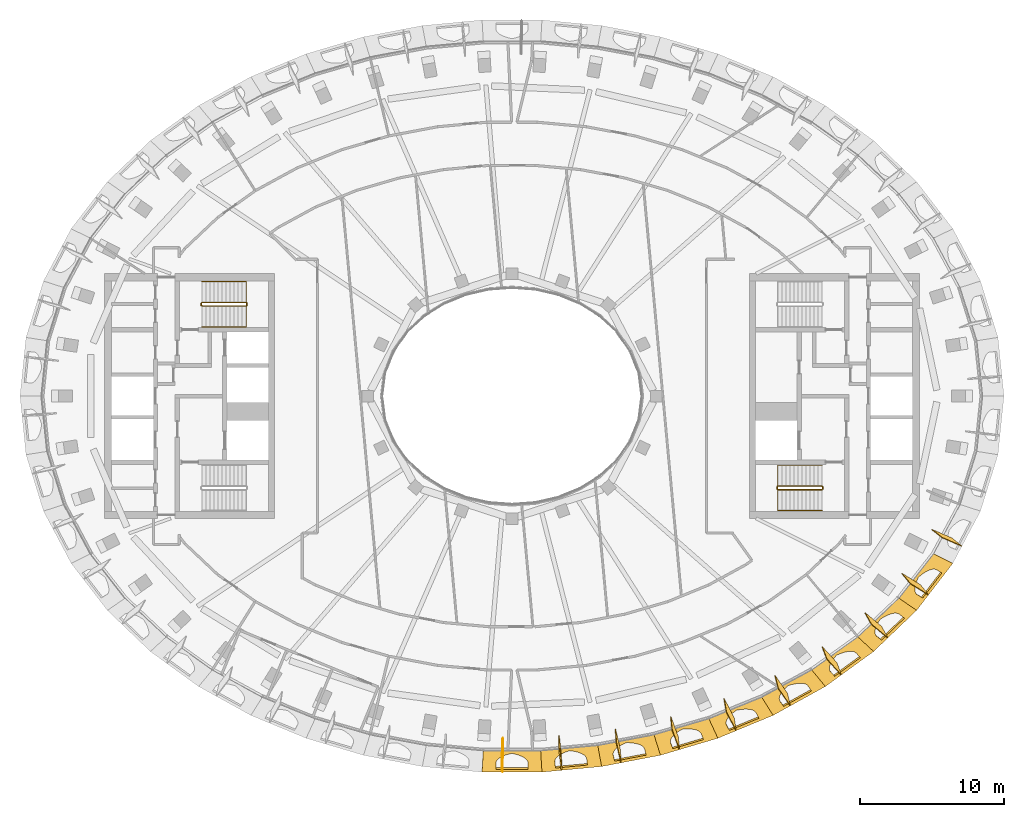
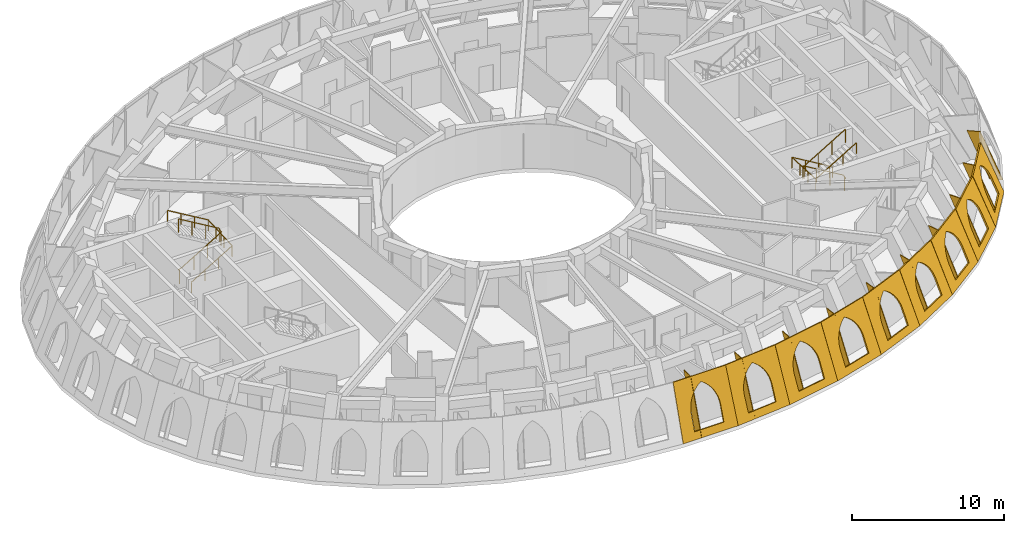
# One storey, part 12 of 14: 19 coverings, 4 railings.
"""IFC4 building model written with IfcOpenShell, lengths in metres."""

from ifc_helpers import new_model, si_unit, direction, frame, origin, origin_2d, place, context, subcontext, project, spatial, polyline, rectangle, outline, extrude, material, layer, layer_set, type_object, element, save


model = new_model("IFC4")

# Units and contexts
model_context = context("Model", 3, precision=1e-05, world=origin(), true_north=direction((0.0, 1.0)))
body_context = subcontext(model_context, "Body", "Model", "MODEL_VIEW")
ifc_project = project(units=[si_unit("LENGTHUNIT", "METRE"), si_unit("AREAUNIT", "SQUARE_METRE"), si_unit("VOLUMEUNIT", "CUBIC_METRE"), si_unit("PLANEANGLEUNIT", "RADIAN"), si_unit("MASSUNIT", "GRAM", prefix="KILO")], contexts=[model_context])

# Site, building, storey
site_placement = place(None, origin())
site = spatial("IfcSite", under=ifc_project, at=site_placement, CompositionType="ELEMENT")
building_placement = place(site_placement, origin())
building = spatial("IfcBuilding", under=site, at=building_placement, Name="Noorbagh Ring Tower", CompositionType="ELEMENT")
storey_placement = place(building_placement, frame((0.0, 0.0, 343.0)))
storey = spatial("IfcBuildingStorey", under=building, at=storey_placement, Name="L75", CompositionType="ELEMENT", Elevation=343.0)

# Railings
ifc_material_1 = material(Name="Stainless steel", Category="steel")
railing_type_1 = type_object("IfcRailingType", Name="CORE-STAIR-GUARD", PredefinedType="GUARDRAIL", material=ifc_material_1)
railing_1_placement = place(storey_placement, frame((-21.580078125, 6.300048828125, 0.0)))
element("IfcRailing", 1, at=railing_1_placement, inside=storey, type_object=railing_type_1, Name="L75 ST1 stair guard", PredefinedType="GUARDRAIL", context=body_context, shape_type="SweptSolid", body=[
    extrude(rectangle(XDim=0.048095703125, YDim=0.048095703125, at=origin_2d()), frame((0.0, 0.0, 1.076171875), z_axis=(0.0, 1.0, 0.0), x_axis=(-1.0, 0.0, 0.0)), (0.0, 0.0, 1.0), 0.14990234375),
    extrude(rectangle(XDim=0.048095703125, YDim=0.048095703125, at=origin_2d()), frame((0.0, 0.14990234375, 1.076171875), z_axis=(0.188775798145, -0.754182335027, 0.628945707965), x_axis=(0.970072785993, 0.242814311512, 0.0)), (0.0, 0.0, 1.0), 0.26513671875),
    extrude(rectangle(XDim=0.048095703125, YDim=0.048095703125, at=origin_2d()), frame((0.050048828125, -0.050048828125, 1.24267578125), z_axis=(0.859308565015, 0.0, 0.511457515432), x_axis=(0.0, 1.0, 0.0)), (0.0, 0.0, 1.0), 3.58447265625),
    extrude(rectangle(XDim=0.048095703125, YDim=0.048095703125, at=origin_2d()), frame((3.130126953125, -0.050048828125, 3.076171875), z_axis=(0.707106781187, 0.707106781187, 0.0), x_axis=(-0.707106781187, 0.707106781187, 0.0)), (0.0, 0.0, 1.0), 0.07080078125),
    extrude(rectangle(XDim=0.048095703125, YDim=0.048095703125, at=origin_2d()), frame((3.18017578125, 0.0, 3.076171875), z_axis=(0.0, 1.0, 0.0), x_axis=(-1.0, 0.0, 0.0)), (0.0, 0.0, 1.0), 0.14990234375),
    extrude(rectangle(XDim=0.048095703125, YDim=0.048095703125, at=origin_2d()), frame((3.18017578125, 0.14990234375, 3.076171875), z_axis=(-0.27628659633, 0.27628659633, 0.920506074601), x_axis=(-0.707106781187, -0.707106781187, 0.0)), (0.0, 0.0, 1.0), 0.18115234375),
    extrude(rectangle(XDim=0.048095703125, YDim=0.048095703125, at=origin_2d()), frame((3.130126953125, 0.199951171875, 3.24267578125), z_axis=(-0.859308565015, 0.0, 0.511457515432), x_axis=(0.0, -1.0, 0.0)), (0.0, 0.0, 1.0), 3.58447265625),
    extrude(rectangle(XDim=0.0419921875, YDim=0.0419921875, at=origin_2d()), origin(), (0.0, 0.0, 1.0), 1.052001953125),
    extrude(rectangle(XDim=0.0419921875, YDim=0.0419921875, at=origin_2d()), frame((1.07666015625, -0.050048828125, 0.77783203125)), (0.0, 0.0, 1.0), 1.052001953125),
    extrude(rectangle(XDim=0.0419921875, YDim=0.0419921875, at=origin_2d()), frame((2.103515625, -0.050048828125, 1.388916015625)), (0.0, 0.0, 1.0), 1.052001953125),
    extrude(rectangle(XDim=0.0419921875, YDim=0.0419921875, at=origin_2d()), frame((3.130126953125, -0.050048828125, 2.0)), (0.0, 0.0, 1.0), 1.052001953125),
    extrude(rectangle(XDim=0.0419921875, YDim=0.0419921875, at=origin_2d()), frame((3.130126953125, 0.199951171875, 2.166748046875)), (0.0, 0.0, 1.0), 1.052001953125),
    extrude(rectangle(XDim=0.0419921875, YDim=0.0419921875, at=origin_2d()), frame((2.103515625, 0.199951171875, 2.77783203125)), (0.0, 0.0, 1.0), 1.052001953125),
    extrude(rectangle(XDim=0.0419921875, YDim=0.0419921875, at=origin_2d()), frame((1.07666015625, 0.199951171875, 3.388916015625)), (0.0, 0.0, 1.0), 1.052001953125),
    extrude(rectangle(XDim=0.0419921875, YDim=0.0419921875, at=origin_2d()), frame((0.050048828125, 0.199951171875, 4.0)), (0.0, 0.0, 1.0), 1.052001953125),
])
railing_2_placement = place(storey_placement, frame((21.580078125, -6.300048828125, 0.0)))
element("IfcRailing", 2, at=railing_2_placement, inside=storey, type_object=railing_type_1, Name="L75 ST4 stair guard", PredefinedType="GUARDRAIL", context=body_context, shape_type="SweptSolid", body=[
    extrude(rectangle(XDim=0.048095703125, YDim=0.048095703125, at=origin_2d()), frame((0.0, 0.0, 1.076171875), z_axis=(0.0, -1.0, 0.0), x_axis=(1.0, 0.0, 0.0)), (0.0, 0.0, 1.0), 0.14990234375),
    extrude(rectangle(XDim=0.048095703125, YDim=0.048095703125, at=origin_2d()), frame((0.0, -0.14990234375, 1.076171875), z_axis=(-0.188775798145, 0.754182335027, 0.628945707965), x_axis=(-0.970072785993, -0.242814311512, 0.0)), (0.0, 0.0, 1.0), 0.26513671875),
    extrude(rectangle(XDim=0.048095703125, YDim=0.048095703125, at=origin_2d()), frame((-0.050048828125, 0.050048828125, 1.24267578125), z_axis=(-0.859308565015, 0.0, 0.511457515432), x_axis=(0.0, -1.0, 0.0)), (0.0, 0.0, 1.0), 3.58447265625),
    extrude(rectangle(XDim=0.048095703125, YDim=0.048095703125, at=origin_2d()), frame((-3.130126953125, 0.050048828125, 3.076171875), z_axis=(-0.707106781187, -0.707106781187, 0.0), x_axis=(0.707106781187, -0.707106781187, 0.0)), (0.0, 0.0, 1.0), 0.07080078125),
    extrude(rectangle(XDim=0.048095703125, YDim=0.048095703125, at=origin_2d()), frame((-3.18017578125, 0.0, 3.076171875), z_axis=(0.0, -1.0, 0.0), x_axis=(1.0, 0.0, 0.0)), (0.0, 0.0, 1.0), 0.14990234375),
    extrude(rectangle(XDim=0.048095703125, YDim=0.048095703125, at=origin_2d()), frame((-3.18017578125, -0.14990234375, 3.076171875), z_axis=(0.27628659633, -0.27628659633, 0.920506074601), x_axis=(0.707106781187, 0.707106781187, 0.0)), (0.0, 0.0, 1.0), 0.18115234375),
    extrude(rectangle(XDim=0.048095703125, YDim=0.048095703125, at=origin_2d()), frame((-3.130126953125, -0.199951171875, 3.24267578125), z_axis=(0.859308565015, 0.0, 0.511457515432), x_axis=(0.0, 1.0, 0.0)), (0.0, 0.0, 1.0), 3.58447265625),
    extrude(rectangle(XDim=0.0419921875, YDim=0.0419921875, at=origin_2d()), origin(), (0.0, 0.0, 1.0), 1.052001953125),
    extrude(rectangle(XDim=0.0419921875, YDim=0.0419921875, at=origin_2d()), frame((-1.07666015625, 0.050048828125, 0.77783203125)), (0.0, 0.0, 1.0), 1.052001953125),
    extrude(rectangle(XDim=0.0419921875, YDim=0.0419921875, at=origin_2d()), frame((-2.103515625, 0.050048828125, 1.388916015625)), (0.0, 0.0, 1.0), 1.052001953125),
    extrude(rectangle(XDim=0.0419921875, YDim=0.0419921875, at=origin_2d()), frame((-3.130126953125, 0.050048828125, 2.0)), (0.0, 0.0, 1.0), 1.052001953125),
    extrude(rectangle(XDim=0.0419921875, YDim=0.0419921875, at=origin_2d()), frame((-3.130126953125, -0.199951171875, 2.166748046875)), (0.0, 0.0, 1.0), 1.052001953125),
    extrude(rectangle(XDim=0.0419921875, YDim=0.0419921875, at=origin_2d()), frame((-2.103515625, -0.199951171875, 2.77783203125)), (0.0, 0.0, 1.0), 1.052001953125),
    extrude(rectangle(XDim=0.0419921875, YDim=0.0419921875, at=origin_2d()), frame((-1.07666015625, -0.199951171875, 3.388916015625)), (0.0, 0.0, 1.0), 1.052001953125),
    extrude(rectangle(XDim=0.0419921875, YDim=0.0419921875, at=origin_2d()), frame((-0.050048828125, -0.199951171875, 4.0)), (0.0, 0.0, 1.0), 1.052001953125),
])
ifc_material_2 = material(Name="Stainless steel", Category="steel")
railing_type_2 = type_object("IfcRailingType", Name="CORE-STAIR-HANDRAIL", PredefinedType="HANDRAIL", material=ifc_material_2)
railing_3_placement = place(storey_placement, frame((-21.530029296875, 4.800048828125, 0.166748046875)))
element("IfcRailing", 3, at=railing_3_placement, inside=storey, type_object=railing_type_2, Name="L75 ST1 stair handrail", PredefinedType="HANDRAIL", context=body_context, shape_type="SweptSolid", body=[
    extrude(rectangle(XDim=0.048095703125, YDim=0.048095703125, at=origin_2d()), frame((0.0, 0.0, 0.8759765625), z_axis=(0.859308565015, 0.0, 0.511457515432), x_axis=(0.0, 1.0, 0.0)), (0.0, 0.0, 1.0), 3.58447265625),
    extrude(rectangle(XDim=0.048095703125, YDim=0.048095703125, at=origin_2d()), frame((3.080078125, 0.0, 2.708984375), z_axis=(0.0, 0.998601747152, 0.052863509014), x_axis=(-1.0, 0.0, 0.0)), (0.0, 0.0, 1.0), 3.154296875),
    extrude(rectangle(XDim=0.048095703125, YDim=0.048095703125, at=origin_2d()), frame((3.080078125, 3.14990234375, 2.8759765625), z_axis=(-0.859308565015, 0.0, 0.511457515432), x_axis=(0.0, -1.0, 0.0)), (0.0, 0.0, 1.0), 3.58447265625),
    extrude(rectangle(XDim=0.0419921875, YDim=0.0419921875, at=origin_2d()), origin(), (0.0, 0.0, 1.0), 0.851806640625),
    extrude(rectangle(XDim=0.0419921875, YDim=0.0419921875, at=origin_2d()), frame((1.026611328125, 0.0, 0.611083984375)), (0.0, 0.0, 1.0), 0.851806640625),
    extrude(rectangle(XDim=0.0419921875, YDim=0.0419921875, at=origin_2d()), frame((2.053466796875, 0.0, 1.22216796875)), (0.0, 0.0, 1.0), 0.851806640625),
    extrude(rectangle(XDim=0.0419921875, YDim=0.0419921875, at=origin_2d()), frame((3.080078125, 0.0, 1.833251953125)), (0.0, 0.0, 1.0), 0.851806640625),
    extrude(rectangle(XDim=0.0419921875, YDim=0.0419921875, at=origin_2d()), frame((3.080078125, 1.050048828125, 1.888916015625)), (0.0, 0.0, 1.0), 0.851806640625),
    extrude(rectangle(XDim=0.0419921875, YDim=0.0419921875, at=origin_2d()), frame((3.080078125, 2.099853515625, 1.9443359375)), (0.0, 0.0, 1.0), 0.851806640625),
    extrude(rectangle(XDim=0.0419921875, YDim=0.0419921875, at=origin_2d()), frame((3.080078125, 3.14990234375, 2.0)), (0.0, 0.0, 1.0), 0.851806640625),
    extrude(rectangle(XDim=0.0419921875, YDim=0.0419921875, at=origin_2d()), frame((2.053466796875, 3.14990234375, 2.611083984375)), (0.0, 0.0, 1.0), 0.851806640625),
    extrude(rectangle(XDim=0.0419921875, YDim=0.0419921875, at=origin_2d()), frame((1.026611328125, 3.14990234375, 3.22216796875)), (0.0, 0.0, 1.0), 0.851806640625),
    extrude(rectangle(XDim=0.0419921875, YDim=0.0419921875, at=origin_2d()), frame((0.0, 3.14990234375, 3.833251953125)), (0.0, 0.0, 1.0), 0.851806640625),
])
railing_4_placement = place(storey_placement, frame((21.530029296875, -4.800048828125, 0.166748046875)))
element("IfcRailing", 4, at=railing_4_placement, inside=storey, type_object=railing_type_2, Name="L75 ST4 stair handrail", PredefinedType="HANDRAIL", context=body_context, shape_type="SweptSolid", body=[
    extrude(rectangle(XDim=0.048095703125, YDim=0.048095703125, at=origin_2d()), frame((0.0, 0.0, 0.8759765625), z_axis=(-0.859308565015, 0.0, 0.511457515432), x_axis=(0.0, -1.0, 0.0)), (0.0, 0.0, 1.0), 3.58447265625),
    extrude(rectangle(XDim=0.048095703125, YDim=0.048095703125, at=origin_2d()), frame((-3.080078125, 0.0, 2.708984375), z_axis=(0.0, -0.998601747152, 0.052863509014), x_axis=(1.0, 0.0, 0.0)), (0.0, 0.0, 1.0), 3.154296875),
    extrude(rectangle(XDim=0.048095703125, YDim=0.048095703125, at=origin_2d()), frame((-3.080078125, -3.14990234375, 2.8759765625), z_axis=(0.859308565015, 0.0, 0.511457515432), x_axis=(0.0, 1.0, 0.0)), (0.0, 0.0, 1.0), 3.58447265625),
    extrude(rectangle(XDim=0.0419921875, YDim=0.0419921875, at=origin_2d()), origin(), (0.0, 0.0, 1.0), 0.851806640625),
    extrude(rectangle(XDim=0.0419921875, YDim=0.0419921875, at=origin_2d()), frame((-1.026611328125, 0.0, 0.611083984375)), (0.0, 0.0, 1.0), 0.851806640625),
    extrude(rectangle(XDim=0.0419921875, YDim=0.0419921875, at=origin_2d()), frame((-2.053466796875, 0.0, 1.22216796875)), (0.0, 0.0, 1.0), 0.851806640625),
    extrude(rectangle(XDim=0.0419921875, YDim=0.0419921875, at=origin_2d()), frame((-3.080078125, 0.0, 1.833251953125)), (0.0, 0.0, 1.0), 0.851806640625),
    extrude(rectangle(XDim=0.0419921875, YDim=0.0419921875, at=origin_2d()), frame((-3.080078125, -1.050048828125, 1.888916015625)), (0.0, 0.0, 1.0), 0.851806640625),
    extrude(rectangle(XDim=0.0419921875, YDim=0.0419921875, at=origin_2d()), frame((-3.080078125, -2.099853515625, 1.9443359375)), (0.0, 0.0, 1.0), 0.851806640625),
    extrude(rectangle(XDim=0.0419921875, YDim=0.0419921875, at=origin_2d()), frame((-3.080078125, -3.14990234375, 2.0)), (0.0, 0.0, 1.0), 0.851806640625),
    extrude(rectangle(XDim=0.0419921875, YDim=0.0419921875, at=origin_2d()), frame((-2.053466796875, -3.14990234375, 2.611083984375)), (0.0, 0.0, 1.0), 0.851806640625),
    extrude(rectangle(XDim=0.0419921875, YDim=0.0419921875, at=origin_2d()), frame((-1.026611328125, -3.14990234375, 3.22216796875)), (0.0, 0.0, 1.0), 0.851806640625),
    extrude(rectangle(XDim=0.0419921875, YDim=0.0419921875, at=origin_2d()), frame((0.0, -3.14990234375, 3.833251953125)), (0.0, 0.0, 1.0), 0.851806640625),
])

# Coverings
ifc_material_3 = material(Name="Aluminium 6063-T6 black anodised", Category="aluminium")
ifc_layer_1 = layer(ifc_material_3, 0.050048828125)
ifc_layer_set_1 = layer_set([ifc_layer_1], Name="Aluminium 6063-T6 black anodised")
covering_type_1 = type_object("IfcCoveringType", Name="STYLE-HEAD-FIN", PredefinedType="CLADDING", material=ifc_layer_set_1)
covering_1_placement = place(storey_placement, frame((-0.693603515625, -26.10888671875, 0.0), z_axis=(-0.999853849539, -0.01207094311, 0.012106687995), x_axis=(0.007118299096, 0.349910814242, 0.936755972436)))
element("IfcCovering", 5, at=covering_1_placement, inside=storey, type_object=covering_type_1, Name="Fin rib F35 L75", ObjectType="FIN", PredefinedType="CLADDING", context=body_context, shape_type="SweptSolid", body=[
    extrude(outline(polyline([(0.0, 0.0), (4.270057085678505, -2.220446049250313e-16), (4.584864443549209, 0.8431140137763533), (0.3148090957366956, 0.8431102189059664), (0.0, 0.0)])), origin(), (0.0, 0.0, -1.0), 0.050048828125),
])
covering_2_placement = place(storey_placement, frame((3.4619140625, -25.979248046875, 0.0), z_axis=(0.999117759308, 0.033349113811, 0.0255252746), x_axis=(-0.035562137106, 0.348531813176, 0.936622074056)))
element("IfcCovering", 6, at=covering_2_placement, inside=storey, type_object=covering_type_1, Name="Fin rib F36 L75", ObjectType="FIN", PredefinedType="CLADDING", context=body_context, shape_type="SweptSolid", body=[
    extrude(outline(polyline([(0.0, 0.0), (4.270144628804676, 2.220446049250313e-16), (4.584772039550924, -0.843383799659456), (0.31462741074624834, -0.8433837996594563), (0.0, 0.0)])), origin(), (0.0, 0.0, -1.0), 0.050048828125),
])
covering_3_placement = place(storey_placement, frame((7.585693359375, -25.458984375, 0.0), z_axis=(0.99630362331, 0.060661052357, 0.060822092258), x_axis=(-0.077988385473, 0.341913889389, 0.936489564264)))
element("IfcCovering", 7, at=covering_3_placement, inside=storey, type_object=covering_type_1, Name="Fin rib F37 L75", ObjectType="FIN", PredefinedType="CLADDING", context=body_context, shape_type="SweptSolid", body=[
    extrude(outline(polyline([(0.0, 0.0), (4.2699667454592705, -2.220446049250313e-16), (4.581336520216729, -0.8442694456446282), (0.311369774757459, -0.8442694456446279), (0.0, 0.0)])), origin(), (0.0, 0.0, -1.0), 0.050048828125),
])
covering_4_placement = place(storey_placement, frame((11.6376953125, -24.544189453125, 0.0), z_axis=(0.990730815082, 0.100626374538, 0.091251218045), x_axis=(-0.119757621649, 0.329962810147, 0.936366731562)))
element("IfcCovering", 8, at=covering_4_placement, inside=storey, type_object=covering_type_1, Name="Fin rib F38 L75", ObjectType="FIN", PredefinedType="CLADDING", context=body_context, shape_type="SweptSolid", body=[
    extrude(outline(polyline([(0.0, 0.0), (4.270016005251605, -2.220446049250313e-16), (4.5762961468687084, -0.8461310976360186), (0.3063899366443968, -0.8463759045415654), (0.0, 0.0)])), origin(), (0.0, 0.0, -1.0), 0.050048828125),
])
covering_5_placement = place(storey_placement, frame((15.572998046875, -23.2275390625, 0.0), z_axis=(0.980559835014, 0.159115301615, 0.11482478282), x_axis=(-0.160353618006, 0.312533203328, 0.936274379661)))
element("IfcCovering", 9, at=covering_5_placement, inside=storey, type_object=covering_type_1, Name="Fin rib F39 L75", ObjectType="FIN", PredefinedType="CLADDING", context=body_context, shape_type="SweptSolid", body=[
    extrude(outline(polyline([(0.0, 0.0), (4.269919764367549, 0.0), (4.570680741305075, -0.8482894768162359), (0.30080012577004817, -0.8483170864410203), (0.0, 0.0)])), origin(), (0.0, 0.0, -1.0), 0.050048828125),
])
covering_6_placement = place(storey_placement, frame((19.33984375, -21.50048828125, 0.0), z_axis=(0.961819662831, 0.240690227382, 0.130273368863), x_axis=(-0.199271648924, 0.289604478598, 0.936173090786)))
element("IfcCovering", 10, at=covering_6_placement, inside=storey, type_object=covering_type_1, Name="Fin rib F40 L75", ObjectType="FIN", PredefinedType="CLADDING", context=body_context, shape_type="SweptSolid", body=[
    extrude(outline(polyline([(0.0, 0.0), (4.269841405281221, 2.220446049250313e-16), (4.5662217132046905, -0.84977312780554), (0.2964510121418775, -0.8499992971110958), (0.0, 0.0)])), origin(), (0.0, 0.0, -1.0), 0.050048828125),
])
covering_7_placement = place(storey_placement, frame((22.87548828125, -19.353759765625, 0.0), z_axis=(0.927477884472, 0.347988949845, 0.136705759209), x_axis=(-0.235851490487, 0.260851121234, 0.936125401314)))
element("IfcCovering", 11, at=covering_7_placement, inside=storey, type_object=covering_type_1, Name="Fin rib F41 L75", ObjectType="FIN", PredefinedType="CLADDING", context=body_context, shape_type="SweptSolid", body=[
    extrude(outline(polyline([(0.0, 0.0), (4.269808418859267, 0.0), (4.564214119708998, -0.8506179094415538), (0.29434201649396036, -0.8503980662130676), (0.0, 0.0)])), origin(), (0.0, 0.0, -1.0), 0.050048828125),
])
covering_8_placement = place(storey_placement, frame((26.103271484375, -16.78271484375, 0.0), z_axis=(0.866944784735, 0.48026159601, 0.133249914141), x_axis=(-0.269247166368, 0.226307131978, 0.93610418513)))
element("IfcCovering", 12, at=covering_8_placement, inside=storey, type_object=covering_type_1, Name="Fin rib F42 L75", ObjectType="FIN", PredefinedType="CLADDING", context=body_context, shape_type="SweptSolid", body=[
    extrude(outline(polyline([(0.0, 0.0), (4.26989898773221, 2.220446049250313e-16), (4.565428683198752, -0.8499000087047333), (0.29552969546654173, -0.8499000087047333), (0.0, 0.0)])), origin(), (0.0, 0.0, -1.0), 0.050048828125),
])
covering_9_placement = place(storey_placement, frame((28.9296875, -13.792236328125, 0.0), z_axis=(0.767424504897, 0.629913023763, 0.119453806041), x_axis=(-0.298400659653, 0.186017292093, 0.93613813797)))
element("IfcCovering", 13, at=covering_9_placement, inside=storey, type_object=covering_type_1, Name="Fin rib F43 L75", ObjectType="FIN", PredefinedType="CLADDING", context=body_context, shape_type="SweptSolid", body=[
    extrude(outline(polyline([(0.0, 0.0), (4.269756076353646, 0.0), (4.5694689687949595, -0.8484012880245477), (0.29978574416486214, -0.8485398293164468), (0.0, 0.0)])), origin(), (0.0, 0.0, -1.0), 0.050048828125),
])
covering_10_placement = place(storey_placement, frame((31.2451171875, -10.406494140625, 0.0), z_axis=(0.615969181044, 0.782045922098, 0.09479527274), x_axis=(-0.322095673931, 0.140205679474, 0.93626745339)))
element("IfcCovering", 14, at=covering_10_placement, inside=storey, type_object=covering_type_1, Name="Fin rib F44 L75", ObjectType="FIN", PredefinedType="CLADDING", context=body_context, shape_type="SweptSolid", body=[
    extrude(outline(polyline([(0.0, 0.0), (4.2696759128755355, -2.220446049250313e-16), (4.575486026787998, -0.8464596888751525), (0.305810113912463, -0.8464596888751525), (0.0, 0.0)])), origin(), (0.0, 0.0, -1.0), 0.050048828125),
])
ifc_material_4 = material(Name="Red sandstone jali", Category="masonry")
ifc_layer_2 = layer(ifc_material_4, 0.1201171875)
ifc_layer_set_2 = layer_set([ifc_layer_2], Name="Red sandstone jali")
covering_type_2 = type_object("IfcCoveringType", Name="STYLE-HEAD-SKIN", PredefinedType="CLADDING", material=ifc_layer_set_2)
covering_11_placement = place(storey_placement, frame((-2.080810546875, -26.10888671875, 0.0), z_axis=(0.0, -0.936779550661, 0.349920095828), x_axis=(1.0, 0.0, 0.0)))
element("IfcCovering", 15, at=covering_11_placement, inside=storey, type_object=covering_type_2, Name="Head skin panel", ObjectType="HEAD SKIN", PredefinedType="CLADDING", context=body_context, shape_type="SweptSolid", body=[
    extrude(outline(polyline([(0.0, 0.0), (4.16162109375, 0.0), (4.070556640625, 4.27001953125), (0.091064453125, 4.27001953125), (0.0, 0.0)]), holes=[polyline([(0.966796875, 0.550048828125), (0.966796875, 1.7900390625), (0.985595703125, 2.0810546875), (1.04248046875, 2.366943359375), (1.13623046875, 2.642822265625), (1.26513671875, 2.904296875), (1.42724609375, 3.146728515625), (1.619384765625, 3.365966796875), (1.838623046875, 3.55810546875), (2.080810546875, 3.719970703125), (2.3232421875, 3.55810546875), (2.54248046875, 3.365966796875), (2.734619140625, 3.146728515625), (2.896484375, 2.904296875), (3.025634765625, 2.642822265625), (3.119384765625, 2.366943359375), (3.176025390625, 2.0810546875), (3.1953125, 1.7900390625), (3.1953125, 0.550048828125), (0.966796875, 0.550048828125)])]), origin(), (0.0, 0.0, -1.0), 0.1201171875),
])
covering_12_placement = place(storey_placement, frame((2.080810546875, -26.10888671875, 0.0), z_axis=(0.087591626762, -0.932522145726, 0.350328638069), x_axis=(0.995617628772, 0.093517577368, -1.586588e-06)))
element("IfcCovering", 16, at=covering_12_placement, inside=storey, type_object=covering_type_2, Name="Head skin panel", ObjectType="HEAD SKIN", PredefinedType="CLADDING", context=body_context, shape_type="SweptSolid", body=[
    extrude(outline(polyline([(0.0, 0.0), (4.16162109375, 0.0), (4.02734375, 4.270751953125), (0.049072265625, 4.270751953125), (0.0, 0.0)]), holes=[polyline([(0.961181640625, 0.550048828125), (0.948974609375, 1.791259765625), (0.965087890625, 2.08203125), (1.01904296875, 2.367919921875), (1.110107421875, 2.643798828125), (1.236328125, 2.9052734375), (1.395751953125, 3.147705078125), (1.585693359375, 3.36669921875), (1.802978515625, 3.558837890625), (2.043701171875, 3.720703125), (2.28759765625, 3.558837890625), (2.508544921875, 3.36669921875), (2.702880859375, 3.147705078125), (2.8671875, 2.9052734375), (2.998779296875, 2.643798828125), (3.09521484375, 2.367919921875), (3.15478515625, 2.08203125), (3.1767578125, 1.791259765625), (3.189208984375, 0.550048828125), (0.961181640625, 0.550048828125)])]), origin(), (0.0, 0.0, -1.0), 0.1201171875),
])
covering_13_placement = place(storey_placement, frame((6.22412109375, -25.7197265625, 0.0), z_axis=(0.176079356479, -0.919862845053, 0.350497370194), x_axis=(0.982167696153, 0.188006958976, 3.310382e-06)))
element("IfcCovering", 17, at=covering_13_placement, inside=storey, type_object=covering_type_2, Name="Head skin panel", ObjectType="HEAD SKIN", PredefinedType="CLADDING", context=body_context, shape_type="SweptSolid", body=[
    extrude(outline(polyline([(0.0, 0.0), (4.1591796875, 0.0), (3.98388671875, 4.27099609375), (0.008544921875, 4.27099609375), (0.0, 0.0)]), holes=[polyline([(0.955810546875, 0.550048828125), (0.931640625, 1.793212890625), (0.945068359375, 2.083740234375), (0.996337890625, 2.369384765625), (1.08447265625, 2.64501953125), (1.208251953125, 2.90625), (1.365234375, 3.148193359375), (1.552978515625, 3.3671875), (1.768310546875, 3.55908203125), (2.007080078125, 3.720947265625), (2.25244140625, 3.55908203125), (2.47509765625, 3.3671875), (2.67138671875, 3.148193359375), (2.837890625, 2.90625), (2.9716796875, 2.64501953125), (3.07080078125, 2.369384765625), (3.133056640625, 2.083740234375), (3.15771484375, 1.793212890625), (3.181884765625, 0.550048828125), (0.955810546875, 0.550048828125)])]), origin(), (0.0, 0.0, -1.0), 0.1201171875),
])
covering_14_placement = place(storey_placement, frame((10.30908203125, -24.937744140625, 0.0), z_axis=(0.26605252642, -0.897994106361, 0.350460608524), x_axis=(0.958804037381, 0.28406833315, -1.562271e-06)))
element("IfcCovering", 18, at=covering_14_placement, inside=storey, type_object=covering_type_2, Name="Head skin panel", ObjectType="HEAD SKIN", PredefinedType="CLADDING", context=body_context, shape_type="SweptSolid", body=[
    extrude(outline(polyline([(0.0, 0.0), (4.15625, 0.0), (3.942138671875, 4.27099609375), (-0.027587890625, 4.270751953125), (0.0, 0.0)]), holes=[polyline([(0.951171875, 0.550048828125), (0.915771484375, 1.795654296875), (0.926513671875, 2.0859375), (0.97509765625, 2.37109375), (1.060791015625, 2.646484375), (1.18212890625, 2.9072265625), (1.3369140625, 3.14892578125), (1.522216796875, 3.36767578125), (1.735595703125, 3.559326171875), (1.97265625, 3.720947265625), (2.218994140625, 3.559326171875), (2.443115234375, 3.36767578125), (2.64111328125, 3.14892578125), (2.809326171875, 2.9072265625), (2.9453125, 2.646484375), (3.046630859375, 2.37109375), (3.111572265625, 2.0859375), (3.138916015625, 1.795654296875), (3.174072265625, 0.550048828125), (0.951171875, 0.550048828125)])]), origin(), (0.0, 0.0, -1.0), 0.1201171875),
])
covering_15_placement = place(storey_placement, frame((14.294189453125, -23.757080078125, 0.0), z_axis=(0.358322783681, -0.865397152408, 0.350274965277), x_axis=(0.92393118422, 0.382558710298, -1.071554e-06)))
element("IfcCovering", 19, at=covering_15_placement, inside=storey, type_object=covering_type_2, Name="Head skin panel", ObjectType="HEAD SKIN", PredefinedType="CLADDING", context=body_context, shape_type="SweptSolid", body=[
    extrude(outline(polyline([(0.0, 0.0), (4.152099609375, 0.0), (3.903076171875, 4.2705078125), (-0.05859375, 4.2705078125), (0.0, 0.0)]), holes=[polyline([(0.94677734375, 0.550048828125), (0.90185546875, 1.79931640625), (0.910400390625, 2.0888671875), (0.956787109375, 2.37353515625), (1.040283203125, 2.648193359375), (1.1591796875, 2.908447265625), (1.311767578125, 3.14990234375), (1.4951171875, 3.367919921875), (1.70654296875, 3.559326171875), (1.94189453125, 3.720703125), (2.189208984375, 3.559326171875), (2.4140625, 3.367919921875), (2.61328125, 3.14990234375), (2.783203125, 2.908447265625), (2.9208984375, 2.648193359375), (3.024169921875, 2.37353515625), (3.091064453125, 2.0888671875), (3.120361328125, 1.79931640625), (3.165283203125, 0.550048828125), (0.94677734375, 0.550048828125)])]), origin(), (0.0, 0.0, -1.0), 0.1201171875),
])
covering_16_placement = place(storey_placement, frame((18.13037109375, -22.168701171875, 0.0), z_axis=(0.453056491312, -0.819879724023, 0.35005293002), x_axis=(0.87525603196, 0.483659878909, 7.145209e-06)))
element("IfcCovering", 20, at=covering_16_placement, inside=storey, type_object=covering_type_2, Name="Head skin panel", ObjectType="HEAD SKIN", PredefinedType="CLADDING", context=body_context, shape_type="SweptSolid", body=[
    extrude(outline(polyline([(0.0, 0.0), (4.1455078125, 0.0), (3.869140625, 4.270263671875), (-0.081787109375, 4.270263671875), (0.0, 0.0)]), holes=[polyline([(0.943603515625, 0.550048828125), (0.890869140625, 1.803955078125), (0.897705078125, 2.0927734375), (0.942138671875, 2.376708984375), (1.023681640625, 2.650634765625), (1.140869140625, 2.910400390625), (1.29150390625, 3.15087890625), (1.473388671875, 3.36865234375), (1.682861328125, 3.559326171875), (1.916748046875, 3.72021484375), (2.164306640625, 3.559326171875), (2.389892578125, 3.36865234375), (2.58984375, 3.15087890625), (2.7607421875, 2.910400390625), (2.899658203125, 2.650634765625), (3.004150390625, 2.376708984375), (3.072509765625, 2.0927734375), (3.103515625, 1.803955078125), (3.156005859375, 0.550048828125), (0.943603515625, 0.550048828125)])]), origin(), (0.0, 0.0, -1.0), 0.1201171875),
])
covering_17_placement = place(storey_placement, frame((21.7587890625, -20.16357421875, 0.0), z_axis=(0.549999533176, -0.758359294534, 0.349845242787), x_axis=(0.80951503471, 0.587099147141, -2.275698e-06)))
element("IfcCovering", 21, at=covering_17_placement, inside=storey, type_object=covering_type_2, Name="Head skin panel", ObjectType="HEAD SKIN", PredefinedType="CLADDING", context=body_context, shape_type="SweptSolid", body=[
    extrude(outline(polyline([(0.0, 0.0), (4.13818359375, 0.0), (3.84326171875, 4.269775390625), (-0.094482421875, 4.269775390625), (0.0, 0.0)]), holes=[polyline([(0.94140625, 0.550048828125), (0.884033203125, 1.810302734375), (0.8896484375, 2.09814453125), (0.93310546875, 2.381103515625), (1.01318359375, 2.654052734375), (1.129150390625, 2.912841796875), (1.2783203125, 3.152587890625), (1.458740234375, 3.369384765625), (1.6669921875, 3.559814453125), (1.8994140625, 3.719970703125), (2.146484375, 3.559814453125), (2.3720703125, 3.369384765625), (2.572265625, 3.152587890625), (2.743408203125, 2.912841796875), (2.8828125, 2.654052734375), (2.98779296875, 2.381103515625), (3.05712890625, 2.09814453125), (3.089111328125, 1.810302734375), (3.146484375, 0.550048828125), (0.94140625, 0.550048828125)])]), origin(), (0.0, 0.0, -1.0), 0.1201171875),
])
covering_18_placement = place(storey_placement, frame((25.108642578125, -17.734130859375, 0.0), z_axis=(0.647554602531, -0.676929502023, 0.349913540796), x_axis=(0.722614011899, 0.69125175567, -9.49526e-06)))
element("IfcCovering", 22, at=covering_18_placement, inside=storey, type_object=covering_type_2, Name="Head skin panel", ObjectType="HEAD SKIN", PredefinedType="CLADDING", context=body_context, shape_type="SweptSolid", body=[
    extrude(outline(polyline([(0.0, 0.0), (4.12890625, 0.0), (3.828125, 4.27001953125), (-0.093505859375, 4.269775390625), (0.0, 0.0)]), holes=[polyline([(0.94091796875, 0.550048828125), (0.88232421875, 1.818115234375), (0.887939453125, 2.104736328125), (0.930908203125, 2.386474609375), (1.0107421875, 2.658447265625), (1.1259765625, 2.916015625), (1.2744140625, 3.155029296875), (1.453857421875, 3.37109375), (1.6611328125, 3.560302734375), (1.892578125, 3.719970703125), (2.138916015625, 3.560302734375), (2.363525390625, 3.37109375), (2.56298828125, 3.155029296875), (2.7333984375, 2.916015625), (2.87255859375, 2.658447265625), (2.977294921875, 2.386474609375), (3.04638671875, 2.104736328125), (3.07861328125, 1.818115234375), (3.13720703125, 0.550048828125), (0.94091796875, 0.550048828125)])]), origin(), (0.0, 0.0, -1.0), 0.1201171875),
])
covering_19_placement = place(storey_placement, frame((28.09228515625, -14.880126953125, 0.0), z_axis=(0.742269904086, -0.571369371211, 0.350103457751), x_axis=(0.609973325409, 0.792421947124, 2.250522e-06)))
element("IfcCovering", 23, at=covering_19_placement, inside=storey, type_object=covering_type_2, Name="Head skin panel", ObjectType="HEAD SKIN", PredefinedType="CLADDING", context=body_context, shape_type="SweptSolid", body=[
    extrude(outline(polyline([(0.0, 0.0), (4.11865234375, 0.0), (3.827392578125, 4.270263671875), (-0.076171875, 4.270263671875), (0.0, 0.0)]), holes=[polyline([(0.942626953125, 0.550048828125), (0.8876953125, 1.827392578125), (0.89404296875, 2.112548828125), (0.937744140625, 2.39306640625), (1.01806640625, 2.663818359375), (1.133544921875, 2.920166015625), (1.281982421875, 3.157958984375), (1.46142578125, 3.372802734375), (1.668212890625, 3.5615234375), (1.899169921875, 3.72021484375), (2.143798828125, 3.5615234375), (2.36669921875, 3.372802734375), (2.564697265625, 3.157958984375), (2.733642578125, 2.920166015625), (2.87109375, 2.663818359375), (2.974609375, 2.39306640625), (3.04248046875, 2.112548828125), (3.073486328125, 1.827392578125), (3.12841796875, 0.550048828125), (0.942626953125, 0.550048828125)])]), origin(), (0.0, 0.0, -1.0), 0.1201171875),
])

save(model, "model.ifc")
